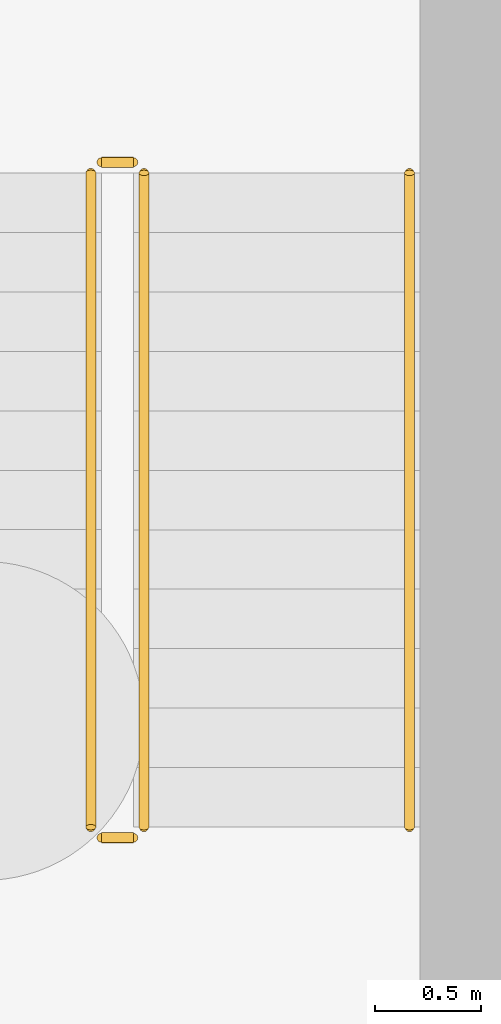
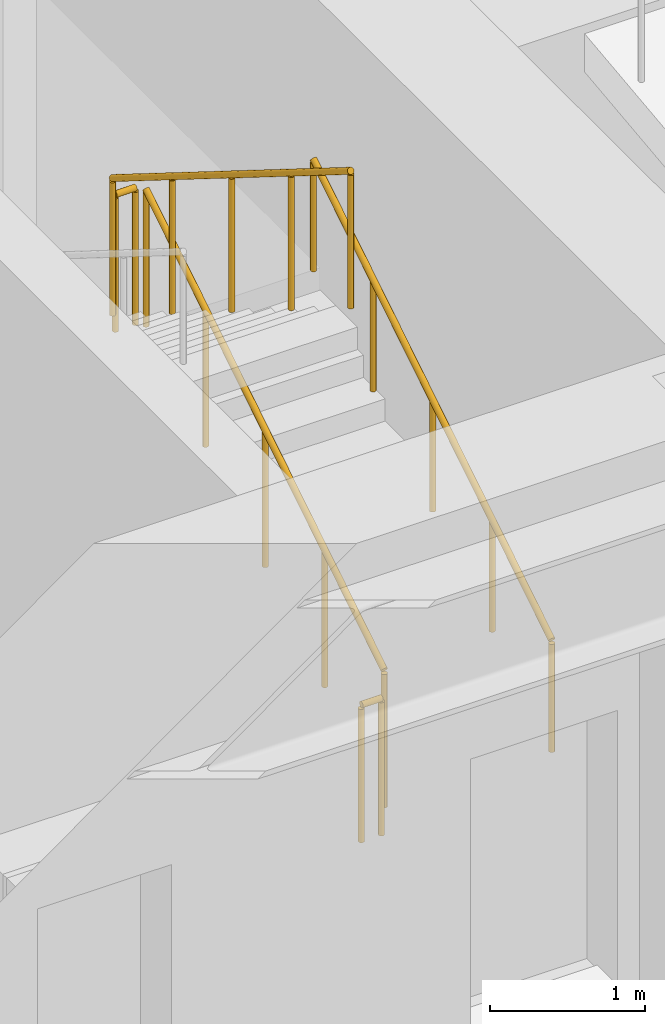
# One storey, part 11 of 12: 5 railings.
"""IFC4 building model written with IfcOpenShell, lengths in metres."""

from ifc_helpers import new_model, si_unit, direction, frame, origin, origin_2d, place, context, subcontext, project, spatial, circle, extrude, material, layer, layer_set, type_object, element, save


model = new_model("IFC4")

# Units and contexts
model_context = context("Model", 3, precision=1e-05, world=origin(), true_north=direction((0.0, 1.0)))
body_context = subcontext(model_context, "Body", "Model", "MODEL_VIEW")
ifc_project = project(units=[si_unit("LENGTHUNIT", "METRE"), si_unit("AREAUNIT", "SQUARE_METRE"), si_unit("VOLUMEUNIT", "CUBIC_METRE"), si_unit("PLANEANGLEUNIT", "RADIAN"), si_unit("MASSUNIT", "GRAM", prefix="KILO")], contexts=[model_context])

# Site, building, storey
site_placement = place(None, origin())
site = spatial("IfcSite", under=ifc_project, at=site_placement, CompositionType="ELEMENT")
building_placement = place(site_placement, origin())
building = spatial("IfcBuilding", under=site, at=building_placement, Name="Kravanh Interchange Tower", CompositionType="ELEMENT")
storey_placement = place(building_placement, frame((0.0, 0.0, -8.39990234375)))
storey = spatial("IfcBuildingStorey", under=building, at=storey_placement, Name="B2", CompositionType="ELEMENT", Elevation=-8.39990234375)

# Railings
ifc_material_1 = material(Name="Structural Steel S355", Category="steel")
ifc_layer_1 = layer(ifc_material_1, 0.050048828125)
ifc_layer_set_1 = layer_set([ifc_layer_1], Name="Stair Well Guardrail Structural Steel S355 1100mm")
railing_type_1 = type_object("IfcRailingType", Name="Stair Well Guardrail Structural Steel S355 1100mm", PredefinedType="GUARDRAIL", material=ifc_layer_set_1)
railing_1_placement = place(storey_placement, frame((64.550048828125, 39.89990234375, 0.1748046875)))
element("IfcRailing", 1, at=railing_1_placement, inside=storey, type_object=railing_type_1, Name="B2 ST1 stair guard 1", PredefinedType="GUARDRAIL", context=body_context, shape_type="SweptSolid", body=[
    extrude(circle(Radius=0.02392578125, at=origin_2d()), frame((0.0, 0.0, 1.076171875), z_axis=(0.0, 0.847998304005, 0.529998940003), x_axis=(-1.0, 0.0, 0.0)), (0.0, 0.0, 1.0), 3.632080078125),
    extrude(circle(Radius=0.02099609375, at=origin_2d()), origin(), (0.0, 0.0, 1.0), 1.052001953125),
    extrude(circle(Radius=0.02099609375, at=origin_2d()), frame((0.0, 0.77001953125, 0.481201171875)), (0.0, 0.0, 1.0), 1.052001953125),
    extrude(circle(Radius=0.02099609375, at=origin_2d()), frame((0.0, 1.5400390625, 0.96240234375)), (0.0, 0.0, 1.0), 1.052001953125),
    extrude(circle(Radius=0.02099609375, at=origin_2d()), frame((0.0, 2.31005859375, 1.44384765625)), (0.0, 0.0, 1.0), 1.052001953125),
    extrude(circle(Radius=0.02099609375, at=origin_2d()), frame((0.0, 3.080078125, 1.925048828125)), (0.0, 0.0, 1.0), 1.052001953125),
])
railing_2_placement = place(storey_placement, frame((64.5, 43.030029296875, 2.099853515625)))
element("IfcRailing", 2, at=railing_2_placement, inside=storey, type_object=railing_type_1, Name="B2 ST1 stair guard 2", PredefinedType="GUARDRAIL", context=body_context, shape_type="SweptSolid", body=[
    extrude(circle(Radius=0.02392578125, at=origin_2d()), frame((0.0, 0.0, 1.076171875), z_axis=(-1.0, 0.0, 0.0), x_axis=(0.0, -1.0, 0.0)), (0.0, 0.0, 1.0), 0.14990234375),
    extrude(circle(Radius=0.02099609375, at=origin_2d()), origin(), (0.0, 0.0, 1.0), 1.052001953125),
    extrude(circle(Radius=0.02099609375, at=origin_2d()), frame((-0.14990234375, 0.0, 0.0)), (0.0, 0.0, 1.0), 1.052001953125),
])
railing_3_placement = place(storey_placement, frame((64.300048828125, 42.97998046875, 2.27490234375)))
element("IfcRailing", 3, at=railing_3_placement, inside=storey, type_object=railing_type_1, Name="B2 ST1 stair guard 3", PredefinedType="GUARDRAIL", context=body_context, shape_type="SweptSolid", body=[
    extrude(circle(Radius=0.02392578125, at=origin_2d()), frame((0.0, 0.0, 1.076171875), z_axis=(0.0, -0.847998304005, 0.529998940003), x_axis=(1.0, 0.0, 0.0)), (0.0, 0.0, 1.0), 3.632080078125),
    extrude(circle(Radius=0.02099609375, at=origin_2d()), origin(), (0.0, 0.0, 1.0), 1.052001953125),
    extrude(circle(Radius=0.02099609375, at=origin_2d()), frame((0.0, -0.77001953125, 0.481201171875)), (0.0, 0.0, 1.0), 1.052001953125),
    extrude(circle(Radius=0.02099609375, at=origin_2d()), frame((0.0, -1.5400390625, 0.96240234375)), (0.0, 0.0, 1.0), 1.052001953125),
    extrude(circle(Radius=0.02099609375, at=origin_2d()), frame((0.0, -2.31005859375, 1.44384765625)), (0.0, 0.0, 1.0), 1.052001953125),
    extrude(circle(Radius=0.02099609375, at=origin_2d()), frame((0.0, -3.080078125, 1.925048828125)), (0.0, 0.0, 1.0), 1.052001953125),
])
railing_4_placement = place(storey_placement, frame((64.5, 39.85009765625, 0.0)))
element("IfcRailing", 4, at=railing_4_placement, inside=storey, type_object=railing_type_1, Name="B2 ST1 stair guard 4", PredefinedType="GUARDRAIL", context=body_context, shape_type="SweptSolid", body=[
    extrude(circle(Radius=0.02392578125, at=origin_2d()), frame((0.0, 0.0, 1.076171875), z_axis=(-1.0, 0.0, 0.0), x_axis=(0.0, -1.0, 0.0)), (0.0, 0.0, 1.0), 0.14990234375),
    extrude(circle(Radius=0.02099609375, at=origin_2d()), origin(), (0.0, 0.0, 1.0), 1.052001953125),
    extrude(circle(Radius=0.02099609375, at=origin_2d()), frame((-0.14990234375, 0.0, 0.0)), (0.0, 0.0, 1.0), 1.052001953125),
])
ifc_material_2 = material(Name="Stainless Steel 304", Category="steel")
ifc_layer_2 = layer(ifc_material_2, 0.044921875)
ifc_layer_set_2 = layer_set([ifc_layer_2], Name="Tubular Stair Handrail Stainless 304 900mm")
railing_type_2 = type_object("IfcRailingType", Name="Tubular Stair Handrail Stainless 304 900mm", PredefinedType="HANDRAIL", material=ifc_layer_set_2)
railing_5_placement = place(storey_placement, frame((65.800048828125, 39.89990234375, 0.1748046875)))
element("IfcRailing", 5, at=railing_5_placement, inside=storey, type_object=railing_type_2, Name="B2 ST1 stair handrail 1", PredefinedType="HANDRAIL", context=body_context, shape_type="SweptSolid", body=[
    extrude(circle(Radius=0.02392578125, at=origin_2d()), frame((0.0, 0.0, 0.8759765625), z_axis=(0.0, 0.847998304005, 0.529998940003), x_axis=(-1.0, 0.0, 0.0)), (0.0, 0.0, 1.0), 3.632080078125),
    extrude(circle(Radius=0.02099609375, at=origin_2d()), origin(), (0.0, 0.0, 1.0), 0.851806640625),
    extrude(circle(Radius=0.02099609375, at=origin_2d()), frame((0.0, 0.77001953125, 0.481201171875)), (0.0, 0.0, 1.0), 0.851806640625),
    extrude(circle(Radius=0.02099609375, at=origin_2d()), frame((0.0, 1.5400390625, 0.96240234375)), (0.0, 0.0, 1.0), 0.851806640625),
    extrude(circle(Radius=0.02099609375, at=origin_2d()), frame((0.0, 2.31005859375, 1.44384765625)), (0.0, 0.0, 1.0), 0.851806640625),
    extrude(circle(Radius=0.02099609375, at=origin_2d()), frame((0.0, 3.080078125, 1.925048828125)), (0.0, 0.0, 1.0), 0.851806640625),
])

save(model, "model.ifc")
